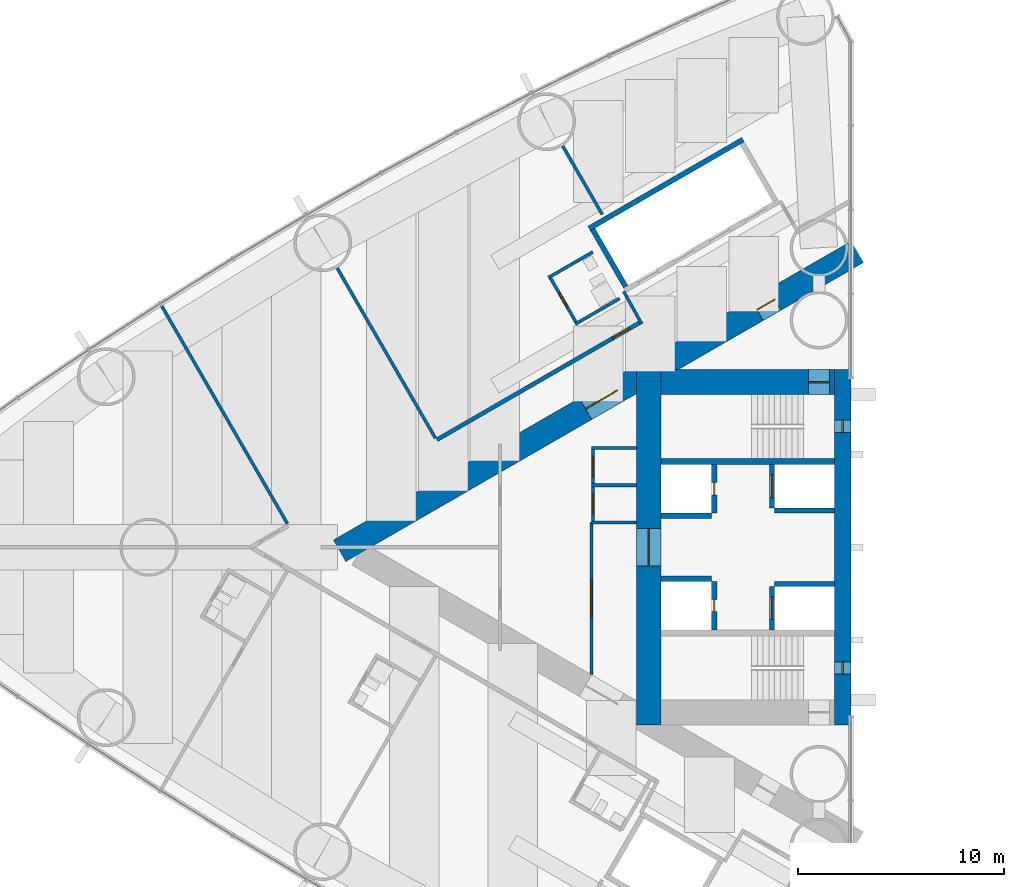
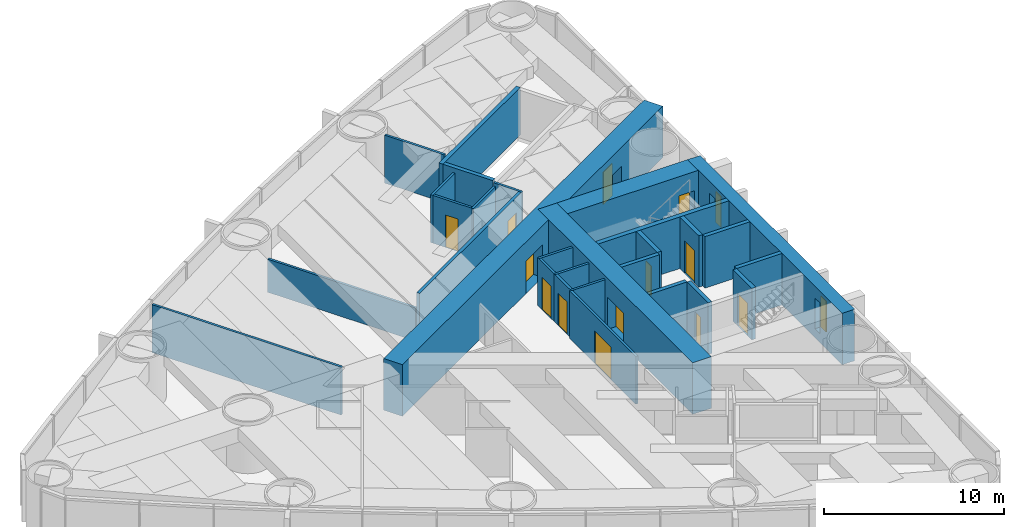
# One storey, part 12 of 19: 29 walls, 13 doors, 2 windows, 15 openings.
"""IFC4 building model written with IfcOpenShell, lengths in metres."""

from ifc_helpers import new_model, si_unit, direction, frame, frame_2d, origin, place, context, subcontext, project, spatial, rectangle, extrude, material, layer, layer_set, type_object, element, fill, save


model = new_model("IFC4")

# Units and contexts
model_context = context("Model", 3, precision=1e-05, world=origin(), true_north=direction((0.0, 1.0)))
body_context = subcontext(model_context, "Body", "Model", "MODEL_VIEW")
ifc_project = project(units=[si_unit("LENGTHUNIT", "METRE"), si_unit("AREAUNIT", "SQUARE_METRE"), si_unit("VOLUMEUNIT", "CUBIC_METRE"), si_unit("PLANEANGLEUNIT", "RADIAN"), si_unit("MASSUNIT", "GRAM", prefix="KILO")], contexts=[model_context])

# Site, building, storey
site_placement = place(None, origin())
site = spatial("IfcSite", under=ifc_project, at=site_placement, CompositionType="ELEMENT")
building_placement = place(site_placement, origin())
building = spatial("IfcBuilding", under=site, at=building_placement, Name="Lancet Gate Hotel", CompositionType="ELEMENT")
storey_placement = place(building_placement, frame((0.0, 0.0, 70.5)))
storey = spatial("IfcBuildingStorey", under=building, at=storey_placement, Name="L18", CompositionType="ELEMENT", Elevation=70.5)

# Wall
ifc_material_1 = material(Name="Moisture resistant board partition")
ifc_layer_1 = layer(ifc_material_1, 0.14990234375)
ifc_layer_set_1 = layer_set([ifc_layer_1], Name="Bathroom wall 150")
wall_type_1 = type_object("IfcWallType", Name="Bathroom wall 150", PredefinedType="PARTITIONING", material=ifc_layer_set_1)
wall_1_placement = place(storey_placement, frame((-40.009765625, 14.294189453125, 0.0), z_axis=(0.0, 0.0, 1.0), x_axis=(-0.866031185235, -0.4999899861, 0.0)))
element("IfcWall", 1, at=wall_1_placement, inside=storey, type_object=wall_type_1, Name="T1 bathroom wall 150 L18", PredefinedType="PARTITIONING", context=body_context, shape_type="SweptSolid", body=[
    extrude(rectangle(XDim=2.47509765625, YDim=0.14990234375, at=frame_2d((1.237548828125, 0.0))), origin(), (0.0, 0.0, 1.0), 3.25),
])

# Wall, opening, door
wall_2_placement = place(storey_placement, frame((-40.788330078125, 10.842529296875, 0.0), z_axis=(0.0, 0.0, 1.0), x_axis=(-0.500006934395, 0.866021400173, 0.0)))
wall_2 = element("IfcWall", 2, at=wall_2_placement, inside=storey, type_object=wall_type_1, Name="T1 bathroom wall 150 L18", PredefinedType="PARTITIONING", context=body_context, shape_type="SweptSolid", body=[
    extrude(rectangle(XDim=2.60009765625, YDim=0.14990234375, at=frame_2d((1.300048828125, 0.0))), origin(), (0.0, 0.0, 1.0), 3.25),
])
opening_1_placement = place(wall_2_placement, frame((0.89990234375, 0.0, 0.0)))
opening_1 = element("IfcOpeningElement", 3, at=opening_1_placement, cuts=wall_2, Name="Opening 1802-B", PredefinedType="OPENING", context=body_context, shape_type="SweptSolid", body=[
    extrude(rectangle(XDim=0.800048828125, YDim=2.199951171875, at=frame_2d((0.39990234375, 1.10009765625))), frame((0.0, 0.0849609375, 0.0), z_axis=(0.0, -1.0, 0.0), x_axis=(1.0, 0.0, 0.0)), (0.0, 0.0, 1.0), 0.169921875),
])
ifc_material_2 = material(Name="Timber door set", Category="wood")
door_type_1 = type_object("IfcDoorType", Name="Bathroom door 800", OperationType="SINGLE_SWING_RIGHT", PredefinedType="DOOR", material=ifc_material_2)
door_1_placement = place(opening_1_placement, origin())
door_1 = element("IfcDoor", 4, at=door_1_placement, inside=storey, type_object=door_type_1, Name="1802-B", OperationType="SINGLE_SWING_RIGHT", OverallHeight=2.199951171875, OverallWidth=0.800048828125, PredefinedType="DOOR", context=body_context, shape_type="SweptSolid", body=[
    extrude(rectangle(XDim=0.800048828125, YDim=2.199951171875, at=frame_2d((0.39990234375, 1.10009765625))), frame((0.0, 0.02490234375, 0.0), z_axis=(0.0, -1.0, 0.0), x_axis=(1.0, 0.0, 0.0)), (0.0, 0.0, 1.0), 0.050048828125),
])
fill(opening_1, door_1)

# Wall
wall_3_placement = place(storey_placement, frame((-38.7099609375, 12.04248046875, 0.0), z_axis=(0.0, 0.0, 1.0), x_axis=(-0.86604923931, -0.499958713387, 0.0)))
element("IfcWall", 5, at=wall_3_placement, inside=storey, type_object=wall_type_1, Name="T1 bathroom wall 150 L18", PredefinedType="PARTITIONING", context=body_context, shape_type="SweptSolid", body=[
    extrude(rectangle(XDim=2.474853515625, YDim=0.14990234375, at=frame_2d((1.2373046875, 0.0))), origin(), (0.0, 0.0, 1.0), 3.25),
])

# Wall, openings, doors
ifc_material_3 = material(Name="Concrete C70/85", Category="concrete")
ifc_layer_2 = layer(ifc_material_3, 1.199951171875)
ifc_layer_set_2 = layer_set([ifc_layer_2], Name="Buttress wall 1200")
wall_type_2 = type_object("IfcWallType", Name="Buttress wall 1200", PredefinedType="SHEAR", material=ifc_layer_set_2)
wall_4_placement = place(storey_placement, frame((-27.199951171875, 14.300048828125, 0.0), z_axis=(0.0, 0.0, 1.0), x_axis=(-0.866026593062, -0.499997940104, 0.0)))
wall_4 = element("IfcWall", 6, at=wall_4_placement, inside=storey, type_object=wall_type_2, Name="T1 buttress wall S L18", PredefinedType="SHEAR", context=body_context, shape_type="SweptSolid", body=[
    extrude(rectangle(XDim=28.9462890625, YDim=1.199951171875, at=frame_2d((14.47314453125, 0.0))), origin(), (0.0, 0.0, 1.0), 3.5),
])
opening_2_placement = place(wall_4_placement, frame((4.60009765625, 0.0, 0.0)))
opening_2 = element("IfcOpeningElement", 7, at=opening_2_placement, cuts=wall_4, Name="Opening T1-L18-LS", PredefinedType="OPENING", context=body_context, shape_type="SweptSolid", body=[
    extrude(rectangle(XDim=1.0, YDim=2.199951171875, at=frame_2d((0.5, 1.10009765625))), frame((0.0, 0.60986328125, 0.0), z_axis=(0.0, -1.0, 0.0), x_axis=(1.0, 0.0, 0.0)), (0.0, 0.0, 1.0), 1.219970703125),
])
opening_3_placement = place(wall_4_placement, frame((13.39453125, 0.0, 0.0)))
opening_3 = element("IfcOpeningElement", 8, at=opening_3_placement, cuts=wall_4, Name="Opening T1-L18-LHS", PredefinedType="OPENING", context=body_context, shape_type="SweptSolid", body=[
    extrude(rectangle(XDim=1.800048828125, YDim=2.199951171875, at=frame_2d((0.89990234375, 1.10009765625))), frame((0.0, 0.60986328125, 0.0), z_axis=(0.0, -1.0, 0.0), x_axis=(1.0, 0.0, 0.0)), (0.0, 0.0, 1.0), 1.219970703125),
])
ifc_material_4 = material(Name="Timber door set", Category="wood")
door_type_2 = type_object("IfcDoorType", Name="Lobby double door 1800", OperationType="DOUBLE_DOOR_SINGLE_SWING", PredefinedType="DOOR", material=ifc_material_4)
door_2_placement = place(opening_3_placement, origin())
door_2 = element("IfcDoor", 9, at=door_2_placement, inside=storey, type_object=door_type_2, Name="T1-L18-LHS", OperationType="DOUBLE_DOOR_SINGLE_SWING", OverallHeight=2.199951171875, OverallWidth=1.800048828125, PredefinedType="DOOR", context=body_context, shape_type="SweptSolid", body=[
    extrude(rectangle(XDim=1.800048828125, YDim=2.199951171875, at=frame_2d((0.89990234375, 1.10009765625))), frame((0.0, 0.02490234375, 0.0), z_axis=(0.0, -1.0, 0.0), x_axis=(1.0, 0.0, 0.0)), (0.0, 0.0, 1.0), 0.050048828125),
])
fill(opening_3, door_2)
ifc_material_5 = material(Name="Timber door set", Category="wood")
door_type_3 = type_object("IfcDoorType", Name="Stair lobby door 1000", OperationType="SINGLE_SWING_LEFT", PredefinedType="DOOR", material=ifc_material_5)
door_3_placement = place(opening_2_placement, origin())
door_3 = element("IfcDoor", 10, at=door_3_placement, inside=storey, type_object=door_type_3, Name="T1-L18-LS", OperationType="SINGLE_SWING_LEFT", OverallHeight=2.199951171875, OverallWidth=1.0, PredefinedType="DOOR", context=body_context, shape_type="SweptSolid", body=[
    extrude(rectangle(XDim=1.0, YDim=2.199951171875, at=frame_2d((0.5, 1.10009765625))), frame((0.0, 0.02490234375, 0.0), z_axis=(0.0, -1.0, 0.0), x_axis=(1.0, 0.0, 0.0)), (0.0, 0.0, 1.0), 0.050048828125),
])
fill(opening_2, door_3)

# Wall, opening, door
ifc_material_6 = material(Name="Concrete C70/85", Category="concrete")
ifc_layer_3 = layer(ifc_material_6, 1.199951171875)
ifc_layer_set_3 = layer_set([ifc_layer_3], Name="Core wall 1200")
wall_type_3 = type_object("IfcWallType", Name="Core wall 1200", PredefinedType="SHEAR", material=ifc_layer_set_3)
wall_5_placement = place(storey_placement, frame((-37.300048828125, 8.60009765625, 0.0), z_axis=(0.0, 0.0, 1.0), x_axis=(0.0, -1.0, 0.0)))
wall_5 = element("IfcWall", 11, at=wall_5_placement, inside=storey, type_object=wall_type_3, Name="T1 core wall back L18", PredefinedType="SHEAR", context=body_context, shape_type="SweptSolid", body=[
    extrude(rectangle(XDim=17.2001953125, YDim=1.199951171875, at=frame_2d((8.60009765625, 0.0))), origin(), (0.0, 0.0, 1.0), 3.5),
])
opening_4_placement = place(wall_5_placement, frame((7.699951171875, 0.0, 0.0)))
opening_4 = element("IfcOpeningElement", 12, at=opening_4_placement, cuts=wall_5, Name="Opening T1-L18-LL", PredefinedType="OPENING", context=body_context, shape_type="SweptSolid", body=[
    extrude(rectangle(XDim=1.800048828125, YDim=2.199951171875, at=frame_2d((0.89990234375, 1.10009765625))), frame((0.0, 0.60986328125, 0.0), z_axis=(0.0, -1.0, 0.0), x_axis=(1.0, 0.0, 0.0)), (0.0, 0.0, 1.0), 1.219970703125),
])
door_4_placement = place(opening_4_placement, origin())
door_4 = element("IfcDoor", 13, at=door_4_placement, inside=storey, type_object=door_type_2, Name="T1-L18-LL", OperationType="DOUBLE_DOOR_SINGLE_SWING", OverallHeight=2.199951171875, OverallWidth=1.800048828125, PredefinedType="DOOR", context=body_context, shape_type="SweptSolid", body=[
    extrude(rectangle(XDim=1.800048828125, YDim=2.199951171875, at=frame_2d((0.89990234375, 1.10009765625))), frame((0.0, 0.02490234375, 0.0), z_axis=(0.0, -1.0, 0.0), x_axis=(1.0, 0.0, 0.0)), (0.0, 0.0, 1.0), 0.050048828125),
])
fill(opening_4, door_4)

wall_6_placement = place(storey_placement, frame((-28.300048828125, 8.0, 0.0), z_axis=(0.0, 0.0, 1.0), x_axis=(-1.0, 0.0, 0.0)))
wall_6 = element("IfcWall", 14, at=wall_6_placement, inside=storey, type_object=wall_type_3, Name="T1 core wall side-S L18", PredefinedType="SHEAR", context=body_context, shape_type="SweptSolid", body=[
    extrude(rectangle(XDim=8.39990234375, YDim=1.199951171875, at=frame_2d((4.199951171875, 0.0))), origin(), (0.0, 0.0, 1.0), 3.5),
])
opening_5_placement = place(wall_6_placement, frame((0.25, 0.0, 0.0)))
opening_5 = element("IfcOpeningElement", 15, at=opening_5_placement, cuts=wall_6, Name="Opening T1-L18-ST1", PredefinedType="OPENING", context=body_context, shape_type="SweptSolid", body=[
    extrude(rectangle(XDim=1.0, YDim=2.199951171875, at=frame_2d((0.5, 1.10009765625))), frame((0.0, 0.60986328125, 0.0), z_axis=(0.0, -1.0, 0.0), x_axis=(1.0, 0.0, 0.0)), (0.0, 0.0, 1.0), 1.219970703125),
])
ifc_material_7 = material(Name="Timber door set", Category="wood")
door_type_4 = type_object("IfcDoorType", Name="Stair door 1000", OperationType="SINGLE_SWING_RIGHT", PredefinedType="DOOR", material=ifc_material_7)
door_5_placement = place(opening_5_placement, origin())
door_5 = element("IfcDoor", 16, at=door_5_placement, inside=storey, type_object=door_type_4, Name="T1-L18-ST1", OperationType="SINGLE_SWING_RIGHT", OverallHeight=2.199951171875, OverallWidth=1.0, PredefinedType="DOOR", context=body_context, shape_type="SweptSolid", body=[
    extrude(rectangle(XDim=1.0, YDim=2.199951171875, at=frame_2d((0.5, 1.10009765625))), frame((0.0, 0.02490234375, 0.0), z_axis=(0.0, -1.0, 0.0), x_axis=(1.0, 0.0, 0.0)), (0.0, 0.0, 1.0), 0.050048828125),
])
fill(opening_5, door_5)

# Wall, openings, windows
ifc_material_8 = material(Name="Concrete C70/85", Category="concrete")
ifc_layer_4 = layer(ifc_material_8, 0.800048828125)
ifc_layer_set_4 = layer_set([ifc_layer_4], Name="Core wall 800")
wall_type_4 = type_object("IfcWallType", Name="Core wall 800", PredefinedType="SHEAR", material=ifc_layer_set_4)
wall_7_placement = place(storey_placement, frame((-27.89990234375, 8.60009765625, 0.0), z_axis=(0.0, 0.0, 1.0), x_axis=(0.0, -1.0, 0.0)))
wall_7 = element("IfcWall", 17, at=wall_7_placement, inside=storey, type_object=wall_type_4, Name="T1 core wall front L18", PredefinedType="SHEAR", context=body_context, shape_type="SweptSolid", body=[
    extrude(rectangle(XDim=17.2001953125, YDim=0.800048828125, at=frame_2d((8.60009765625, 0.0))), origin(), (0.0, 0.0, 1.0), 3.5),
])
opening_6_placement = place(wall_7_placement, frame((2.449951171875, 0.0, 0.60009765625)))
opening_6 = element("IfcOpeningElement", 18, at=opening_6_placement, cuts=wall_7, Name="Opening LW1", PredefinedType="OPENING", context=body_context, shape_type="SweptSolid", body=[
    extrude(rectangle(XDim=0.60009765625, YDim=2.10009765625, at=frame_2d((0.300048828125, 1.050048828125))), frame((0.0, 0.409912109375, 0.0), z_axis=(0.0, -1.0, 0.0), x_axis=(1.0, 0.0, 0.0)), (0.0, 0.0, 1.0), 0.820068359375),
])
opening_7_placement = place(wall_7_placement, frame((14.14990234375, 0.0, 0.60009765625)))
opening_7 = element("IfcOpeningElement", 19, at=opening_7_placement, cuts=wall_7, Name="Opening LW1", PredefinedType="OPENING", context=body_context, shape_type="SweptSolid", body=[
    extrude(rectangle(XDim=0.60009765625, YDim=2.10009765625, at=frame_2d((0.300048828125, 1.050048828125))), frame((0.0, 0.409912109375, 0.0), z_axis=(0.0, -1.0, 0.0), x_axis=(1.0, 0.0, 0.0)), (0.0, 0.0, 1.0), 0.820068359375),
])
ifc_material_9 = material(Name="Fire-resisting glazed steel window", Category="steel")
window_type = type_object("IfcWindowType", Name="Lancet window 600x2100", PartitioningType="SINGLE_PANEL", PredefinedType="WINDOW", material=ifc_material_9)
window_1_placement = place(opening_6_placement, origin())
window_1 = element("IfcWindow", 20, at=window_1_placement, inside=storey, type_object=window_type, Name="T1 stair window S L18", OverallHeight=2.10009765625, OverallWidth=0.60009765625, PartitioningType="SINGLE_PANEL", PredefinedType="WINDOW", context=body_context, shape_type="SweptSolid", body=[
    extrude(rectangle(XDim=0.60009765625, YDim=2.10009765625, at=frame_2d((0.300048828125, 1.050048828125))), frame((0.0, 0.030029296875, 0.0), z_axis=(0.0, -1.0, 0.0), x_axis=(1.0, 0.0, 0.0)), (0.0, 0.0, 1.0), 0.06005859375),
])
fill(opening_6, window_1)
window_2_placement = place(opening_7_placement, origin())
window_2 = element("IfcWindow", 21, at=window_2_placement, inside=storey, type_object=window_type, Name="T1 stair window N L18", OverallHeight=2.10009765625, OverallWidth=0.60009765625, PartitioningType="SINGLE_PANEL", PredefinedType="WINDOW", context=body_context, shape_type="SweptSolid", body=[
    extrude(rectangle(XDim=0.60009765625, YDim=2.10009765625, at=frame_2d((0.300048828125, 1.050048828125))), frame((0.0, 0.030029296875, 0.0), z_axis=(0.0, -1.0, 0.0), x_axis=(1.0, 0.0, 0.0)), (0.0, 0.0, 1.0), 0.06005859375),
])
fill(opening_7, window_2)

# Wall, opening, door
ifc_material_10 = material(Name="Gypsum board partition")
ifc_layer_5 = layer(ifc_material_10, 0.199951171875)
ifc_layer_set_5 = layer_set([ifc_layer_5], Name="Corridor wall 200")
wall_type_5 = type_object("IfcWallType", Name="Corridor wall 200", PredefinedType="PARTITIONING", material=ifc_layer_set_5)
wall_8_placement = place(storey_placement, frame((-37.699951171875, 10.8935546875, 0.0), z_axis=(0.0, 0.0, 1.0), x_axis=(-0.866024459167, -0.500001636122, 0.0)))
wall_8 = element("IfcWall", 22, at=wall_8_placement, inside=storey, type_object=wall_type_5, Name="T1 corridor wall 200 L18", PredefinedType="PARTITIONING", context=body_context, shape_type="SweptSolid", body=[
    extrude(rectangle(XDim=11.3798828125, YDim=0.199951171875, at=frame_2d((5.68994140625, 0.0))), origin(), (0.0, 0.0, 1.0), 3.25),
])
opening_8_placement = place(wall_8_placement, frame((0.60009765625, 0.0, 0.0)))
opening_8 = element("IfcOpeningElement", 23, at=opening_8_placement, cuts=wall_8, Name="Opening 1802-E", PredefinedType="OPENING", context=body_context, shape_type="SweptSolid", body=[
    extrude(rectangle(XDim=0.949951171875, YDim=2.199951171875, at=frame_2d((0.47509765625, 1.10009765625))), frame((0.0, 0.10986328125, 0.0), z_axis=(0.0, -1.0, 0.0), x_axis=(1.0, 0.0, 0.0)), (0.0, 0.0, 1.0), 0.219970703125),
])
ifc_material_11 = material(Name="Timber door set", Category="wood")
door_type_5 = type_object("IfcDoorType", Name="Guest room entry door 950", OperationType="SINGLE_SWING_LEFT", PredefinedType="DOOR", material=ifc_material_11)
door_6_placement = place(opening_8_placement, origin())
door_6 = element("IfcDoor", 24, at=door_6_placement, inside=storey, type_object=door_type_5, Name="1802-E", OperationType="SINGLE_SWING_LEFT", OverallHeight=2.199951171875, OverallWidth=0.949951171875, PredefinedType="DOOR", context=body_context, shape_type="SweptSolid", body=[
    extrude(rectangle(XDim=0.949951171875, YDim=2.199951171875, at=frame_2d((0.47509765625, 1.10009765625))), frame((0.0, 0.02490234375, 0.0), z_axis=(0.0, -1.0, 0.0), x_axis=(1.0, 0.0, 0.0)), (0.0, 0.0, 1.0), 0.050048828125),
])
fill(opening_8, door_6)

# Walls
ifc_material_12 = material(Name="Gypsum board partition")
ifc_layer_6 = layer(ifc_material_12, 0.25)
ifc_layer_set_6 = layer_set([ifc_layer_6], Name="Lift shaft partition 250")
wall_type_6 = type_object("IfcWallType", Name="Lift shaft partition 250", PredefinedType="PARTITIONING", material=ifc_layer_set_6)
wall_9_placement = place(storey_placement, frame((-32.735595703125, 19.73583984375, 0.0), z_axis=(0.0, 0.0, 1.0), x_axis=(-0.866028165386, -0.499995216735, 0.0)))
element("IfcWall", 25, at=wall_9_placement, inside=storey, type_object=wall_type_6, Name="T1 lift shaft wall LR L18", PredefinedType="PARTITIONING", context=body_context, shape_type="SweptSolid", body=[
    extrude(rectangle(XDim=8.60009765625, YDim=0.25, at=frame_2d((4.300048828125, 0.0))), origin(), (0.0, 0.0, 1.0), 3.25),
])
wall_10_placement = place(storey_placement, frame((-38.412841796875, 12.617919921875, 0.0), z_axis=(0.0, 0.0, 1.0), x_axis=(-0.499872130319, 0.866099216793, 0.0)))
element("IfcWall", 26, at=wall_10_placement, inside=storey, type_object=wall_type_6, Name="T1 lift shaft wall LR L18", PredefinedType="PARTITIONING", context=body_context, shape_type="SweptSolid", body=[
    extrude(rectangle(XDim=3.200439453125, YDim=0.25, at=frame_2d((1.60009765625, 0.0))), origin(), (0.0, 0.0, 1.0), 3.25),
])

# Wall, opening, door
ifc_material_13 = material(Name="Concrete C50/60", Category="concrete")
ifc_layer_7 = layer(ifc_material_13, 0.25)
ifc_layer_set_7 = layer_set([ifc_layer_7], Name="Lift shaft wall 250")
wall_type_7 = type_object("IfcWallType", Name="Lift shaft wall 250", PredefinedType="SHEAR", material=ifc_layer_set_7)
wall_11_placement = place(storey_placement, frame((-31.324951171875, 4.0, 0.0), z_axis=(0.0, 0.0, 1.0), x_axis=(0.0, -1.0, 0.0)))
wall_11 = element("IfcWall", 27, at=wall_11_placement, inside=storey, type_object=wall_type_7, Name="T1 core wall row1-S L18", PredefinedType="SHEAR", context=body_context, shape_type="SweptSolid", body=[
    extrude(rectangle(XDim=2.10009765625, YDim=0.25, at=frame_2d((1.050048828125, 0.0))), origin(), (0.0, 0.0, 1.0), 3.5),
])
opening_9_placement = place(wall_11_placement, frame((0.5, 0.0, 0.0)))
opening_9 = element("IfcOpeningElement", 28, at=opening_9_placement, cuts=wall_11, Name="Opening T1-SL1-L18", PredefinedType="OPENING", context=body_context, shape_type="SweptSolid", body=[
    extrude(rectangle(XDim=1.10009765625, YDim=2.199951171875, at=frame_2d((0.550048828125, 1.10009765625))), frame((0.0, 0.135009765625, 0.0), z_axis=(0.0, -1.0, 0.0), x_axis=(1.0, 0.0, 0.0)), (0.0, 0.0, 1.0), 0.27001953125),
])
ifc_material_14 = material(Name="Timber door set", Category="wood")
door_type_6 = type_object("IfcDoorType", Name="Service lift landing door 1100", OperationType="SLIDING_TO_LEFT", PredefinedType="USERDEFINED", material=ifc_material_14)
door_7_placement = place(opening_9_placement, origin())
door_7 = element("IfcDoor", 29, at=door_7_placement, inside=storey, type_object=door_type_6, Name="T1-SL1-L18", ObjectType="LIFT LANDING DOOR", OperationType="SLIDING_TO_LEFT", OverallHeight=2.199951171875, OverallWidth=1.10009765625, PredefinedType="USERDEFINED", context=body_context, shape_type="SweptSolid", body=[
    extrude(rectangle(XDim=1.10009765625, YDim=2.199951171875, at=frame_2d((0.550048828125, 1.10009765625))), frame((0.0, 0.02490234375, 0.0), z_axis=(0.0, -1.0, 0.0), x_axis=(1.0, 0.0, 0.0)), (0.0, 0.0, 1.0), 0.050048828125),
])
fill(opening_9, door_7)

wall_12_placement = place(storey_placement, frame((-34.125, 4.0, 0.0), z_axis=(0.0, 0.0, 1.0), x_axis=(0.0, -1.0, 0.0)))
wall_12 = element("IfcWall", 30, at=wall_12_placement, inside=storey, type_object=wall_type_7, Name="T1 core wall row2-S L18", PredefinedType="SHEAR", context=body_context, shape_type="SweptSolid", body=[
    extrude(rectangle(XDim=2.35009765625, YDim=0.25, at=frame_2d((1.175048828125, 0.0))), origin(), (0.0, 0.0, 1.0), 3.5),
])
opening_10_placement = place(wall_12_placement, frame((0.875, 0.0, 0.0)))
opening_10 = element("IfcOpeningElement", 31, at=opening_10_placement, cuts=wall_12, Name="Opening T1-OL3-L18-E", PredefinedType="OPENING", context=body_context, shape_type="SweptSolid", body=[
    extrude(rectangle(XDim=0.60009765625, YDim=2.0, at=frame_2d((0.300048828125, 1.0))), frame((0.0, 0.135009765625, 0.0), z_axis=(0.0, -1.0, 0.0), x_axis=(1.0, 0.0, 0.0)), (0.0, 0.0, 1.0), 0.27001953125),
])
ifc_material_15 = material(Name="Steel door set", Category="steel")
door_type_7 = type_object("IfcDoorType", Name="Lift shaft emergency door 600x2000", OperationType="SLIDING_TO_LEFT", PredefinedType="DOOR", material=ifc_material_15)
door_8_placement = place(opening_10_placement, origin())
door_8 = element("IfcDoor", 32, at=door_8_placement, inside=storey, type_object=door_type_7, Name="T1-OL3-L18-E", OperationType="SLIDING_TO_LEFT", OverallHeight=2.0, OverallWidth=0.60009765625, PredefinedType="DOOR", context=body_context, shape_type="SweptSolid", body=[
    extrude(rectangle(XDim=0.60009765625, YDim=2.0, at=frame_2d((0.300048828125, 1.0))), frame((0.0, 0.02490234375, 0.0), z_axis=(0.0, -1.0, 0.0), x_axis=(1.0, 0.0, 0.0)), (0.0, 0.0, 1.0), 0.050048828125),
])
fill(opening_10, door_8)

# Walls
wall_13_placement = place(storey_placement, frame((-28.300048828125, 1.77490234375, 0.0), z_axis=(0.0, 0.0, 1.0), x_axis=(-1.0, 0.0, 0.0)))
element("IfcWall", 33, at=wall_13_placement, inside=storey, type_object=wall_type_7, Name="T1 core wall pass1-S L18", PredefinedType="SHEAR", context=body_context, shape_type="SweptSolid", body=[
    extrude(rectangle(XDim=2.89990234375, YDim=0.25, at=frame_2d((1.449951171875, 0.0))), origin(), (0.0, 0.0, 1.0), 3.5),
])
wall_14_placement = place(storey_placement, frame((-34.25, 1.52490234375, 0.0), z_axis=(0.0, 0.0, 1.0), x_axis=(-1.0, 0.0, 0.0)))
element("IfcWall", 34, at=wall_14_placement, inside=storey, type_object=wall_type_7, Name="T1 core wall pass2-S L18", PredefinedType="SHEAR", context=body_context, shape_type="SweptSolid", body=[
    extrude(rectangle(XDim=2.449951171875, YDim=0.25, at=frame_2d((1.22509765625, 0.0))), origin(), (0.0, 0.0, 1.0), 3.5),
])

# Wall, opening, door
wall_15_placement = place(storey_placement, frame((-31.324951171875, -1.89990234375, 0.0), z_axis=(0.0, 0.0, 1.0), x_axis=(0.0, -1.0, 0.0)))
wall_15 = element("IfcWall", 35, at=wall_15_placement, inside=storey, type_object=wall_type_7, Name="T1 core wall row1-N L18", PredefinedType="SHEAR", context=body_context, shape_type="SweptSolid", body=[
    extrude(rectangle(XDim=2.10009765625, YDim=0.25, at=frame_2d((1.050048828125, 0.0))), origin(), (0.0, 0.0, 1.0), 3.5),
])
opening_11_placement = place(wall_15_placement, frame((0.5, 0.0, 0.0)))
opening_11 = element("IfcOpeningElement", 36, at=opening_11_placement, cuts=wall_15, Name="Opening T1-FL2-L18", PredefinedType="OPENING", context=body_context, shape_type="SweptSolid", body=[
    extrude(rectangle(XDim=1.10009765625, YDim=2.199951171875, at=frame_2d((0.550048828125, 1.10009765625))), frame((0.0, 0.135009765625, 0.0), z_axis=(0.0, -1.0, 0.0), x_axis=(1.0, 0.0, 0.0)), (0.0, 0.0, 1.0), 0.27001953125),
])
ifc_material_16 = material(Name="Steel door set", Category="steel")
door_type_8 = type_object("IfcDoorType", Name="Firefighting lift landing door 1100", OperationType="SLIDING_TO_LEFT", PredefinedType="USERDEFINED", material=ifc_material_16)
door_9_placement = place(opening_11_placement, origin())
door_9 = element("IfcDoor", 37, at=door_9_placement, inside=storey, type_object=door_type_8, Name="T1-FL2-L18", ObjectType="LIFT LANDING DOOR", OperationType="SLIDING_TO_LEFT", OverallHeight=2.199951171875, OverallWidth=1.10009765625, PredefinedType="USERDEFINED", context=body_context, shape_type="SweptSolid", body=[
    extrude(rectangle(XDim=1.10009765625, YDim=2.199951171875, at=frame_2d((0.550048828125, 1.10009765625))), frame((0.0, 0.02490234375, 0.0), z_axis=(0.0, -1.0, 0.0), x_axis=(1.0, 0.0, 0.0)), (0.0, 0.0, 1.0), 0.050048828125),
])
fill(opening_11, door_9)

wall_16_placement = place(storey_placement, frame((-34.125, -1.64990234375, 0.0), z_axis=(0.0, 0.0, 1.0), x_axis=(0.0, -1.0, 0.0)))
wall_16 = element("IfcWall", 38, at=wall_16_placement, inside=storey, type_object=wall_type_7, Name="T1 core wall row2-N L18", PredefinedType="SHEAR", context=body_context, shape_type="SweptSolid", body=[
    extrude(rectangle(XDim=2.35009765625, YDim=0.25, at=frame_2d((1.175048828125, 0.0))), origin(), (0.0, 0.0, 1.0), 3.5),
])
opening_12_placement = place(wall_16_placement, frame((0.875, 0.0, 0.0)))
opening_12 = element("IfcOpeningElement", 39, at=opening_12_placement, cuts=wall_16, Name="Opening T1-OL4-L18-E", PredefinedType="OPENING", context=body_context, shape_type="SweptSolid", body=[
    extrude(rectangle(XDim=0.60009765625, YDim=2.0, at=frame_2d((0.300048828125, 1.0))), frame((0.0, 0.135009765625, 0.0), z_axis=(0.0, -1.0, 0.0), x_axis=(1.0, 0.0, 0.0)), (0.0, 0.0, 1.0), 0.27001953125),
])
door_10_placement = place(opening_12_placement, origin())
door_10 = element("IfcDoor", 40, at=door_10_placement, inside=storey, type_object=door_type_7, Name="T1-OL4-L18-E", OperationType="SLIDING_TO_LEFT", OverallHeight=2.0, OverallWidth=0.60009765625, PredefinedType="DOOR", context=body_context, shape_type="SweptSolid", body=[
    extrude(rectangle(XDim=0.60009765625, YDim=2.0, at=frame_2d((0.300048828125, 1.0))), frame((0.0, 0.02490234375, 0.0), z_axis=(0.0, -1.0, 0.0), x_axis=(1.0, 0.0, 0.0)), (0.0, 0.0, 1.0), 0.050048828125),
])
fill(opening_12, door_10)

# Walls
wall_17_placement = place(storey_placement, frame((-28.300048828125, -1.77490234375, 0.0), z_axis=(0.0, 0.0, 1.0), x_axis=(-1.0, 0.0, 0.0)))
element("IfcWall", 41, at=wall_17_placement, inside=storey, type_object=wall_type_7, Name="T1 core wall pass1-N L18", PredefinedType="SHEAR", context=body_context, shape_type="SweptSolid", body=[
    extrude(rectangle(XDim=2.89990234375, YDim=0.25, at=frame_2d((1.449951171875, 0.0))), origin(), (0.0, 0.0, 1.0), 3.5),
])
wall_18_placement = place(storey_placement, frame((-34.25, -1.52490234375, 0.0), z_axis=(0.0, 0.0, 1.0), x_axis=(-1.0, 0.0, 0.0)))
element("IfcWall", 42, at=wall_18_placement, inside=storey, type_object=wall_type_7, Name="T1 core wall pass2-N L18", PredefinedType="SHEAR", context=body_context, shape_type="SweptSolid", body=[
    extrude(rectangle(XDim=2.449951171875, YDim=0.25, at=frame_2d((1.22509765625, 0.0))), origin(), (0.0, 0.0, 1.0), 3.5),
])
ifc_material_17 = material(Name="Gypsum board partition")
ifc_layer_8 = layer(ifc_material_17, 0.14990234375)
ifc_layer_set_8 = layer_set([ifc_layer_8], Name="Party wall 150")
wall_type_8 = type_object("IfcWallType", Name="Party wall 150", PredefinedType="PARTITIONING", material=ifc_layer_set_8)
wall_19_placement = place(storey_placement, frame((-47.626708984375, 5.27783203125, 0.0), z_axis=(0.0, 0.0, 1.0), x_axis=(-0.500009844318, 0.86601972009, 0.0)))
element("IfcWall", 43, at=wall_19_placement, inside=storey, type_object=wall_type_8, Name="T1 party wall 150 L18", PredefinedType="PARTITIONING", context=body_context, shape_type="SweptSolid", body=[
    extrude(rectangle(XDim=9.510498046875, YDim=0.14990234375, at=frame_2d((4.75537109375, 0.0))), origin(), (0.0, 0.0, 1.0), 2.25),
])
wall_20_placement = place(storey_placement, frame((-54.796142578125, 1.138671875, 0.0), z_axis=(0.0, 0.0, 1.0), x_axis=(-0.499998860433, 0.866026061713, 0.0)))
element("IfcWall", 44, at=wall_20_placement, inside=storey, type_object=wall_type_8, Name="T1 party wall 150 L18", PredefinedType="PARTITIONING", context=body_context, shape_type="SweptSolid", body=[
    extrude(rectangle(XDim=12.15673828125, YDim=0.14990234375, at=frame_2d((6.078369140625, 0.0))), origin(), (0.0, 0.0, 1.0), 3.25),
])
wall_21_placement = place(storey_placement, frame((-39.55078125, 16.11865234375, 0.0), z_axis=(0.0, 0.0, 1.0), x_axis=(-0.500014214979, 0.866017196607, 0.0)))
element("IfcWall", 45, at=wall_21_placement, inside=storey, type_object=wall_type_8, Name="T1 party wall 150 L18", PredefinedType="PARTITIONING", context=body_context, shape_type="SweptSolid", body=[
    extrude(rectangle(XDim=3.81494140625, YDim=0.14990234375, at=frame_2d((1.907470703125, 0.0))), origin(), (0.0, 0.0, 1.0), 3.25),
])
ifc_material_18 = material(Name="Gypsum board partition")
ifc_layer_9 = layer(ifc_material_18, 0.14990234375)
ifc_layer_set_9 = layer_set([ifc_layer_9], Name="Service room wall 150")
wall_type_9 = type_object("IfcWallType", Name="Service room wall 150", PredefinedType="PARTITIONING", material=ifc_layer_set_9)
wall_22_placement = place(storey_placement, frame((-38.513427734375, 12.392333984375, 0.0), z_axis=(0.0, 0.0, 1.0), x_axis=(0.485585508183, -0.874189175317, 0.0)))
element("IfcWall", 46, at=wall_22_placement, inside=storey, type_object=wall_type_9, Name="T1 service room wall 150 L18", PredefinedType="PARTITIONING", context=body_context, shape_type="SweptSolid", body=[
    extrude(rectangle(XDim=1.804931640625, YDim=0.14990234375, at=frame_2d((0.90234375, 0.0))), origin(), (0.0, 0.0, 1.0), 3.25),
])
for number, where, z_axis, x_axis, name in (
    (47, (-37.89990234375, 1.199951171875, 0.0), (0.0, 0.0, 1.0), (-1.0, 0.0, 0.0), "T1 service room wall 150 L18"),
    (48, (-37.89990234375, 3.0, 0.0), (0.0, 0.0, 1.0), (-1.0, 0.0, 0.0), "T1 service room wall 150 L18"),
    (49, (-37.89990234375, 4.800048828125, 0.0), (0.0, 0.0, 1.0), (-1.0, 0.0, 0.0), "T1 service room wall 150 L18"),
):
    element("IfcWall", number, at=place(storey_placement, frame(where, z_axis=z_axis, x_axis=x_axis)), inside=storey, type_object=wall_type_9, Name=name, PredefinedType="PARTITIONING", context=body_context, shape_type="SweptSolid", body=[
        extrude(rectangle(XDim=2.175048828125, YDim=0.14990234375, at=frame_2d((1.08740234375, 0.0))), origin(), (0.0, 0.0, 1.0), 3.25),
    ])

# Wall, opening, door
wall_23_placement = place(storey_placement, frame((-40.0, 3.074951171875, 0.0), z_axis=(0.0, 0.0, 1.0), x_axis=(0.0, -1.0, 0.0)))
wall_23 = element("IfcWall", 50, at=wall_23_placement, inside=storey, type_object=wall_type_9, Name="T1 service room wall 150 L18", PredefinedType="PARTITIONING", context=body_context, shape_type="SweptSolid", body=[
    extrude(rectangle(XDim=1.949951171875, YDim=0.14990234375, at=frame_2d((0.97509765625, 0.0))), origin(), (0.0, 0.0, 1.0), 3.25),
])
opening_13_placement = place(wall_23_placement, frame((0.47509765625, 0.0, 0.0)))
opening_13 = element("IfcOpeningElement", 51, at=opening_13_placement, cuts=wall_23, Name="Opening T1-L18-HRS0", PredefinedType="OPENING", context=body_context, shape_type="SweptSolid", body=[
    extrude(rectangle(XDim=1.0, YDim=2.199951171875, at=frame_2d((0.5, 1.10009765625))), frame((0.0, 0.0849609375, 0.0), z_axis=(0.0, -1.0, 0.0), x_axis=(1.0, 0.0, 0.0)), (0.0, 0.0, 1.0), 0.169921875),
])
ifc_material_19 = material(Name="Timber door set", Category="wood")
door_type_9 = type_object("IfcDoorType", Name="Service door 1000", OperationType="SINGLE_SWING_LEFT", PredefinedType="DOOR", material=ifc_material_19)
door_11_placement = place(opening_13_placement, origin())
door_11 = element("IfcDoor", 52, at=door_11_placement, inside=storey, type_object=door_type_9, Name="T1-L18-HRS0", OperationType="SINGLE_SWING_LEFT", OverallHeight=2.199951171875, OverallWidth=1.0, PredefinedType="DOOR", context=body_context, shape_type="SweptSolid", body=[
    extrude(rectangle(XDim=1.0, YDim=2.199951171875, at=frame_2d((0.5, 1.10009765625))), frame((0.0, 0.02490234375, 0.0), z_axis=(0.0, -1.0, 0.0), x_axis=(1.0, 0.0, 0.0)), (0.0, 0.0, 1.0), 0.050048828125),
])
fill(opening_13, door_11)

wall_24_placement = place(storey_placement, frame((-40.0, 4.875, 0.0), z_axis=(0.0, 0.0, 1.0), x_axis=(0.0, -1.0, 0.0)))
wall_24 = element("IfcWall", 53, at=wall_24_placement, inside=storey, type_object=wall_type_9, Name="T1 service room wall 150 L18", PredefinedType="PARTITIONING", context=body_context, shape_type="SweptSolid", body=[
    extrude(rectangle(XDim=1.949951171875, YDim=0.14990234375, at=frame_2d((0.97509765625, 0.0))), origin(), (0.0, 0.0, 1.0), 3.25),
])
opening_14_placement = place(wall_24_placement, frame((0.47509765625, 0.0, 0.0)))
opening_14 = element("IfcOpeningElement", 54, at=opening_14_placement, cuts=wall_24, Name="Opening T1-L18-HRS1", PredefinedType="OPENING", context=body_context, shape_type="SweptSolid", body=[
    extrude(rectangle(XDim=1.0, YDim=2.199951171875, at=frame_2d((0.5, 1.10009765625))), frame((0.0, 0.0849609375, 0.0), z_axis=(0.0, -1.0, 0.0), x_axis=(1.0, 0.0, 0.0)), (0.0, 0.0, 1.0), 0.169921875),
])
door_12_placement = place(opening_14_placement, origin())
door_12 = element("IfcDoor", 55, at=door_12_placement, inside=storey, type_object=door_type_9, Name="T1-L18-HRS1", OperationType="SINGLE_SWING_LEFT", OverallHeight=2.199951171875, OverallWidth=1.0, PredefinedType="DOOR", context=body_context, shape_type="SweptSolid", body=[
    extrude(rectangle(XDim=1.0, YDim=2.199951171875, at=frame_2d((0.5, 1.10009765625))), frame((0.0, 0.02490234375, 0.0), z_axis=(0.0, -1.0, 0.0), x_axis=(1.0, 0.0, 0.0)), (0.0, 0.0, 1.0), 0.050048828125),
])
fill(opening_14, door_12)

wall_25_placement = place(storey_placement, frame((-40.074951171875, 1.199951171875, 0.0), z_axis=(0.0, 0.0, 1.0), x_axis=(0.0, -1.0, 0.0)))
wall_25 = element("IfcWall", 56, at=wall_25_placement, inside=storey, type_object=wall_type_9, Name="T1 service room wall 150 L18", PredefinedType="PARTITIONING", context=body_context, shape_type="SweptSolid", body=[
    extrude(rectangle(XDim=7.373779296875, YDim=0.14990234375, at=frame_2d((3.68701171875, 0.0))), origin(), (0.0, 0.0, 1.0), 3.25),
])
opening_15_placement = place(wall_25_placement, frame((2.786865234375, 0.0, 0.0)))
opening_15 = element("IfcOpeningElement", 57, at=opening_15_placement, cuts=wall_25, Name="Opening T1-L18-LH", PredefinedType="OPENING", context=body_context, shape_type="SweptSolid", body=[
    extrude(rectangle(XDim=1.800048828125, YDim=2.199951171875, at=frame_2d((0.89990234375, 1.10009765625))), frame((0.0, 0.0849609375, 0.0), z_axis=(0.0, -1.0, 0.0), x_axis=(1.0, 0.0, 0.0)), (0.0, 0.0, 1.0), 0.169921875),
])
door_13_placement = place(opening_15_placement, origin())
door_13 = element("IfcDoor", 58, at=door_13_placement, inside=storey, type_object=door_type_2, Name="T1-L18-LH", OperationType="DOUBLE_DOOR_SINGLE_SWING", OverallHeight=2.199951171875, OverallWidth=1.800048828125, PredefinedType="DOOR", context=body_context, shape_type="SweptSolid", body=[
    extrude(rectangle(XDim=1.800048828125, YDim=2.199951171875, at=frame_2d((0.89990234375, 1.10009765625))), frame((0.0, 0.02490234375, 0.0), z_axis=(0.0, -1.0, 0.0), x_axis=(1.0, 0.0, 0.0)), (0.0, 0.0, 1.0), 0.050048828125),
])
fill(opening_15, door_13)

# Wall
ifc_material_20 = material(Name="Concrete C50/60", Category="concrete")
ifc_layer_10 = layer(ifc_material_20, 0.300048828125)
ifc_layer_set_10 = layer_set([ifc_layer_10], Name="Stair enclosure wall 300")
wall_type_10 = type_object("IfcWallType", Name="Stair enclosure wall 300", PredefinedType="SHEAR", material=ifc_layer_set_10)
wall_26_placement = place(storey_placement, frame((-28.300048828125, 4.14990234375, 0.0), z_axis=(0.0, 0.0, 1.0), x_axis=(-1.0, 0.0, 0.0)))
element("IfcWall", 59, at=wall_26_placement, inside=storey, type_object=wall_type_10, Name="T1 core wall stair-S L18", PredefinedType="SHEAR", context=body_context, shape_type="SweptSolid", body=[
    extrude(rectangle(XDim=8.39990234375, YDim=0.300048828125, at=frame_2d((4.199951171875, 0.0))), origin(), (0.0, 0.0, 1.0), 3.5),
])

save(model, "model.ifc")
